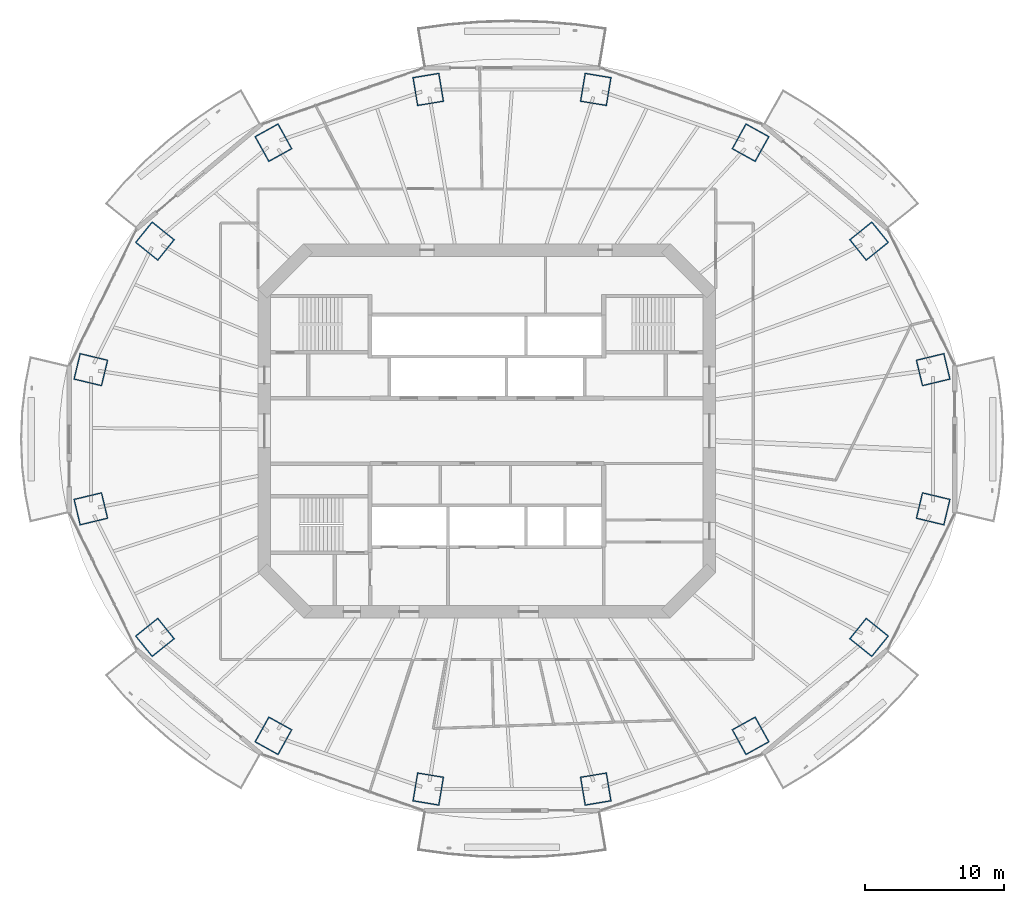
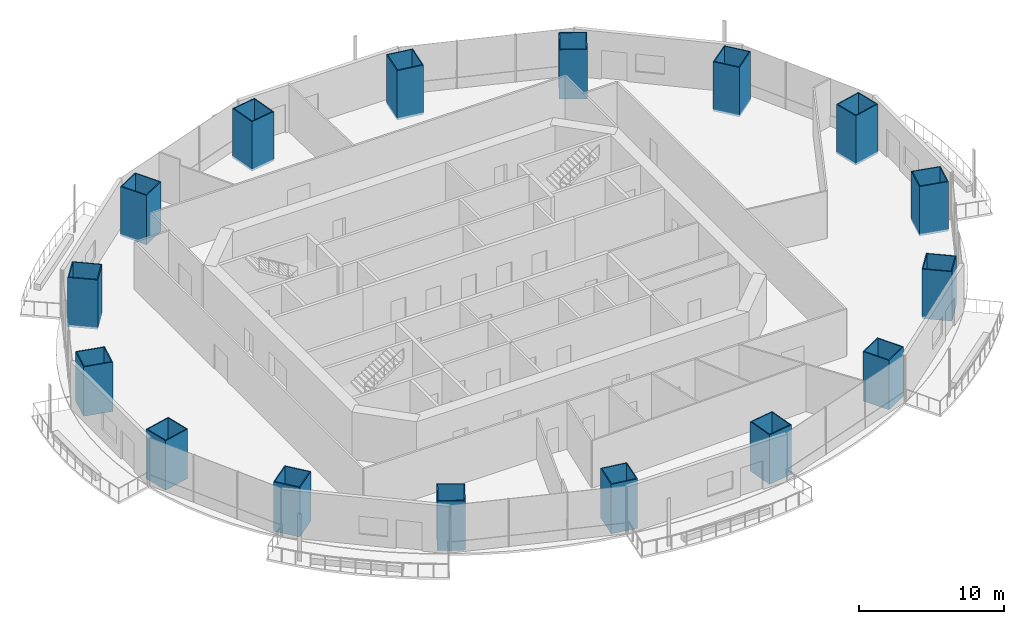
# One storey, part 1 of 20: 16 columns.
"""IFC4 building model written with IfcOpenShell, lengths in metres."""

from ifc_helpers import new_model, si_unit, direction, frame, origin, origin_2d, place, context, subcontext, project, spatial, rectangle, hollow_rectangle, extrude, material, material_profile, profile_set, type_object, element, save


model = new_model("IFC4")

# Units and contexts
model_context = context("Model", 3, precision=1e-05, world=origin(), true_north=direction((0.0, 1.0)))
body_context = subcontext(model_context, "Body", "Model", "MODEL_VIEW")
ifc_project = project(units=[si_unit("LENGTHUNIT", "METRE"), si_unit("AREAUNIT", "SQUARE_METRE"), si_unit("VOLUMEUNIT", "CUBIC_METRE"), si_unit("PLANEANGLEUNIT", "RADIAN"), si_unit("MASSUNIT", "GRAM", prefix="KILO")], contexts=[model_context])

# Site, building, storey
site_placement = place(None, origin())
site = spatial("IfcSite", under=ifc_project, at=site_placement, CompositionType="ELEMENT")
building_placement = place(site_placement, origin())
building = spatial("IfcBuilding", under=site, at=building_placement, Name="Marenthal Gate Tower", CompositionType="ELEMENT")
storey_placement = place(building_placement, frame((0.0, 0.0, 177.64990234375)))
storey = spatial("IfcBuildingStorey", under=building, at=storey_placement, Name="L38", CompositionType="ELEMENT", Elevation=177.64990234375)

# Columns
ifc_material_1 = material(Name="Steel S460", Category="steel")
ifc_material_profile_1 = material_profile(ifc_material_1, hollow_rectangle(XDim=1.949951171875, YDim=2.10009765625, WallThickness=0.074951171875, at=origin_2d()), Name="CFT BOX 2100X1950X75")
ifc_material_2 = material(Name="Concrete 70 MPa", Category="concrete")
ifc_material_profile_2 = material_profile(ifc_material_2, rectangle(XDim=1.800048828125, YDim=1.949951171875, at=origin_2d()), Name="CFT BOX 2100X1950X75 INFILL")
ifc_profile_set = profile_set([ifc_material_profile_1, ifc_material_profile_2], Name="Steel S460 shell, Concrete 70 MPa infill")
column_type = type_object("IfcColumnType", Name="CFT BOX 2100X1950X75", PredefinedType="COLUMN", material=ifc_profile_set)
for number, where, z_axis, x_axis, name in (
    (1, (32.083740234375, 4.4033203125, -0.179931640625), (0.0, 0.0, 1.0), (0.232898858995, -0.9725009622, 0.0), "COL-L38-01"),
    (2, (27.473388671875, 13.648193359375, -0.179931640625), (0.0, 0.0, 1.0), (0.626814619642, -0.779168423772, 0.0), "COL-L38-02"),
    (3, (18.954345703125, 20.723876953125, -0.179931640625), (0.0, 0.0, 1.0), (0.874370823198, -0.485258347213, 0.0), "COL-L38-03"),
    (4, (7.82373046875, 24.55322265625, -0.179931640625), (0.0, 0.0, 1.0), (0.986625414828, -0.16300395951, 0.0), "COL-L38-04"),
    (5, (-4.223876953125, 24.55322265625, -0.179931640625), (0.0, 0.0, 1.0), (0.986625414828, 0.16300395951, 0.0), "COL-L38-05"),
    (6, (-15.354248046875, 20.723876953125, -0.179931640625), (0.0, 0.0, 1.0), (0.874370823198, 0.485258347213, 0.0), "COL-L38-06"),
    (7, (-23.873291015625, 13.648193359375, -0.179931640625), (0.0, 0.0, 1.0), (0.626814619642, 0.779168423772, 0.0), "COL-L38-07"),
    (8, (-28.483642578125, 4.4033203125, -0.179931640625), (0.0, 0.0, 1.0), (0.232898858995, 0.9725009622, 0.0), "COL-L38-08"),
    (9, (-28.483642578125, -5.603271484375, -0.179931640625), (0.0, 0.0, 1.0), (-0.232898858995, 0.9725009622, 0.0), "COL-L38-09"),
    (10, (-23.873291015625, -14.84814453125, -0.179931640625), (0.0, 0.0, 1.0), (-0.626814619642, 0.779168423772, 0.0), "COL-L38-10"),
    (11, (-15.354248046875, -21.923828125, -0.179931640625), (0.0, 0.0, 1.0), (-0.874370823198, 0.485258347213, 0.0), "COL-L38-11"),
    (12, (-4.223876953125, -25.753173828125, -0.179931640625), (0.0, 0.0, 1.0), (-0.986625414828, 0.16300395951, 0.0), "COL-L38-12"),
    (13, (7.82373046875, -25.753173828125, -0.179931640625), (0.0, 0.0, 1.0), (-0.986625414828, -0.16300395951, 0.0), "COL-L38-13"),
    (14, (18.954345703125, -21.923828125, -0.179931640625), (0.0, 0.0, 1.0), (-0.874370823198, -0.485258347213, 0.0), "COL-L38-14"),
    (15, (27.473388671875, -14.84814453125, -0.179931640625), (0.0, 0.0, 1.0), (-0.626814619642, -0.779168423772, 0.0), "COL-L38-15"),
    (16, (32.083740234375, -5.603271484375, -0.179931640625), (0.0, 0.0, 1.0), (-0.232898858995, -0.9725009622, 0.0), "COL-L38-16"),
):
    element("IfcColumn", number, at=place(storey_placement, frame(where, z_axis=z_axis, x_axis=x_axis)), inside=storey, type_object=column_type, Name=name, PredefinedType="COLUMN", context=body_context, shape_type="SweptSolid", body=[
        extrude(hollow_rectangle(XDim=1.949951171875, YDim=2.10009765625, WallThickness=0.074951171875, at=origin_2d()), origin(), (0.0, 0.0, 1.0), 4.150146484375),
    ])

save(model, "model.ifc")
